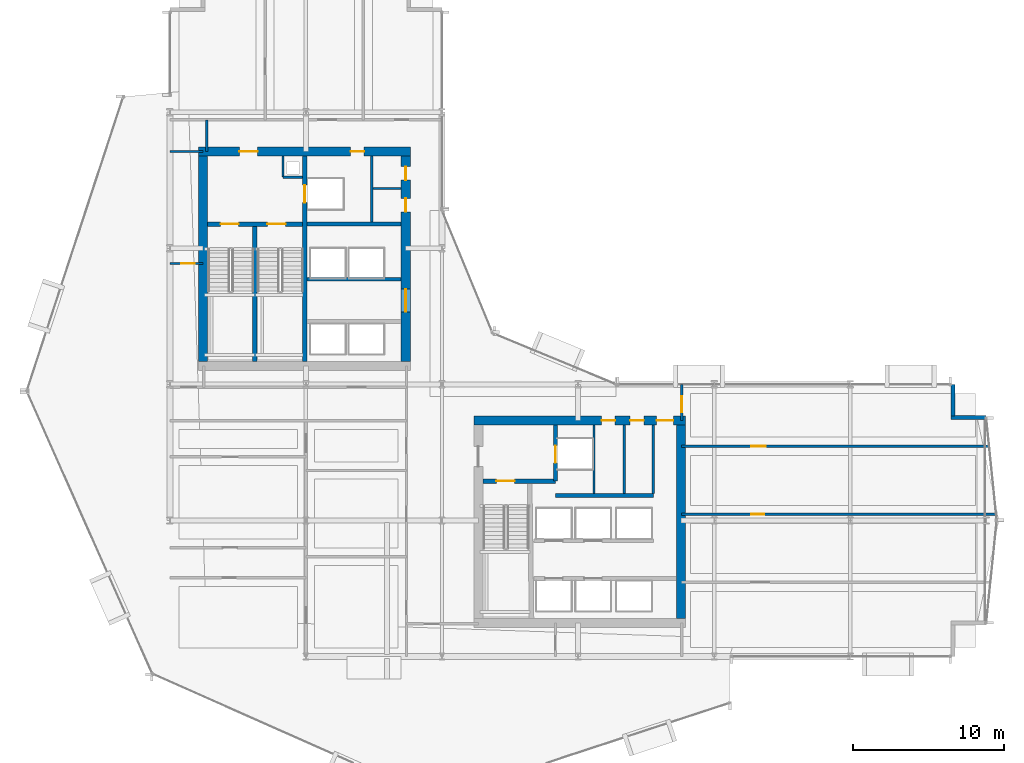
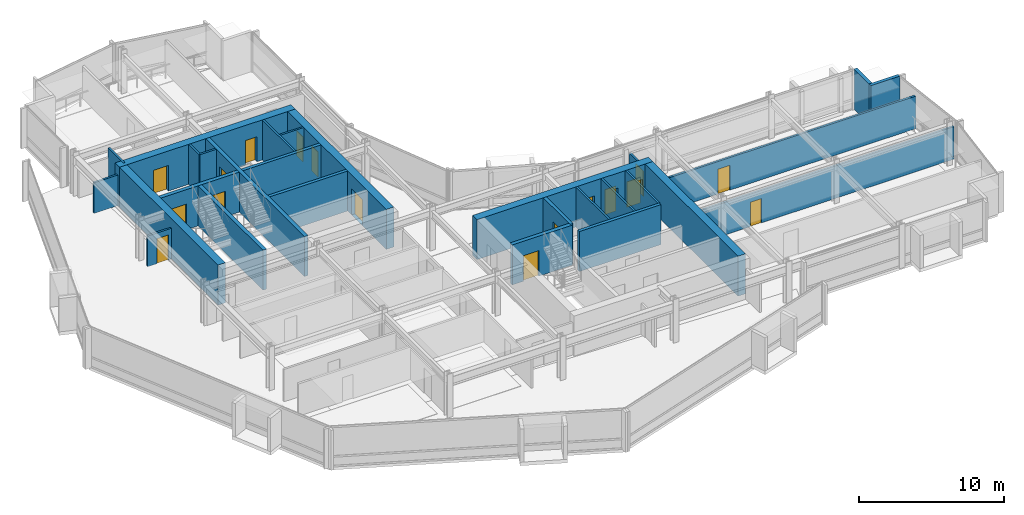
# One storey, part 29 of 35: 28 walls, 17 doors, 17 openings.
"""IFC4 building model written with IfcOpenShell, lengths in metres."""

from ifc_helpers import new_model, si_unit, direction, frame, frame_2d, origin, place, context, subcontext, project, spatial, rectangle, extrude, material, layer, layer_set, type_object, element, fill, save


model = new_model("IFC4")

# Units and contexts
model_context = context("Model", 3, precision=1e-05, world=origin(), true_north=direction((0.0, 1.0)))
body_context = subcontext(model_context, "Body", "Model", "MODEL_VIEW")
ifc_project = project(units=[si_unit("LENGTHUNIT", "METRE"), si_unit("AREAUNIT", "SQUARE_METRE"), si_unit("VOLUMEUNIT", "CUBIC_METRE"), si_unit("PLANEANGLEUNIT", "RADIAN"), si_unit("MASSUNIT", "GRAM", prefix="KILO")], contexts=[model_context])

# Site, building, storey
site_placement = place(None, origin())
site = spatial("IfcSite", under=ifc_project, at=site_placement, CompositionType="ELEMENT")
building_placement = place(site_placement, origin())
building = spatial("IfcBuilding", under=site, at=building_placement, Name="Solvaryn Broadcast Tower", CompositionType="ELEMENT")
storey_placement = place(building_placement, frame((0.0, 0.0, 80.39990234375)))
storey = spatial("IfcBuildingStorey", under=building, at=storey_placement, Name="L19", CompositionType="ELEMENT", Elevation=80.39990234375)

# Wall, openings, doors
ifc_material_1 = material(Name="Concrete f'c 70 MPa", Category="concrete")
ifc_layer_1 = layer(ifc_material_1, 0.60009765625)
ifc_layer_set_1 = layer_set([ifc_layer_1], Name="CW-SHEAR-600")
wall_type_1 = type_object("IfcWallType", Name="CW-SHEAR-600", PredefinedType="SHEAR", material=ifc_layer_set_1)
wall_1_placement = place(storey_placement, frame((24.89990234375, 42.39990234375, 0.0), z_axis=(0.0, 0.0, 1.0), x_axis=(-1.0, 0.0, 0.0)))
wall_1 = element("IfcWall", 1, at=wall_1_placement, inside=storey, type_object=wall_type_1, Name="L19 West Core North Shear Wall", PredefinedType="SHEAR", context=body_context, shape_type="SweptSolid", body=[
    extrude(rectangle(XDim=14.0, YDim=0.60009765625, at=frame_2d((7.0, 0.0))), origin(), (0.0, 0.0, 1.0), 3.3701171875),
])
opening_1_placement = place(wall_1_placement, frame((10.10009765625, 0.0, 0.0)))
opening_1 = element("IfcOpeningElement", 2, at=opening_1_placement, cuts=wall_1, Name="Opening FD90A", PredefinedType="OPENING", context=body_context, shape_type="SweptSolid", body=[
    extrude(rectangle(XDim=1.199951171875, YDim=2.14990234375, at=frame_2d((0.60009765625, 1.074951171875))), frame((0.0, 0.31005859375, 0.0), z_axis=(0.0, -1.0, 0.0), x_axis=(1.0, 0.0, 0.0)), (0.0, 0.0, 1.0), 0.6201171875),
])
opening_2_placement = place(wall_1_placement, frame((3.050048828125, 0.0, 0.0)))
opening_2 = element("IfcOpeningElement", 3, at=opening_2_placement, cuts=wall_1, Name="Opening FD60C", PredefinedType="OPENING", context=body_context, shape_type="SweptSolid", body=[
    extrude(rectangle(XDim=0.89990234375, YDim=2.10009765625, at=frame_2d((0.449951171875, 1.050048828125))), frame((0.0, 0.31005859375, 0.0), z_axis=(0.0, -1.0, 0.0), x_axis=(1.0, 0.0, 0.0)), (0.0, 0.0, 1.0), 0.6201171875),
])
ifc_material_2 = material(Name="Flush Acoustic Steel and Timber Door Assembly", Category="steel")
door_type_1 = type_object("IfcDoorType", Name="FD60-SERV-900X2100", OperationType="NOTDEFINED", PredefinedType="DOOR", material=ifc_material_2)
door_1_placement = place(opening_2_placement, origin())
door_1 = element("IfcDoor", 4, at=door_1_placement, inside=storey, type_object=door_type_1, Name="L19 West Core Fiber Riser Door", OperationType="SINGLE_SWING_RIGHT", OverallHeight=2.10009765625, OverallWidth=0.89990234375, PredefinedType="DOOR", context=body_context, shape_type="SweptSolid", body=[
    extrude(rectangle(XDim=0.89990234375, YDim=2.10009765625, at=frame_2d((0.449951171875, 1.050048828125))), frame((0.0, 0.02490234375, 0.0), z_axis=(0.0, -1.0, 0.0), x_axis=(1.0, 0.0, 0.0)), (0.0, 0.0, 1.0), 0.050048828125),
])
fill(opening_2, door_1)
ifc_material_3 = material(Name="Flush Acoustic Steel and Timber Door Assembly", Category="steel")
door_type_2 = type_object("IfcDoorType", Name="FD90-STAIR-1200X2150", OperationType="NOTDEFINED", PredefinedType="DOOR", material=ifc_material_3)
door_2_placement = place(opening_1_placement, origin())
door_2 = element("IfcDoor", 5, at=door_2_placement, inside=storey, type_object=door_type_2, Name="L19 West FSAE Lobby Corridor Door", OperationType="SINGLE_SWING_LEFT", OverallHeight=2.14990234375, OverallWidth=1.199951171875, PredefinedType="DOOR", context=body_context, shape_type="SweptSolid", body=[
    extrude(rectangle(XDim=1.199951171875, YDim=2.14990234375, at=frame_2d((0.60009765625, 1.074951171875))), frame((0.0, 0.02490234375, 0.0), z_axis=(0.0, -1.0, 0.0), x_axis=(1.0, 0.0, 0.0)), (0.0, 0.0, 1.0), 0.050048828125),
])
fill(opening_1, door_2)

# Wall
wall_2_placement = place(storey_placement, frame((11.199951171875, 42.10009765625, 0.0), z_axis=(0.0, 0.0, 1.0), x_axis=(0.0, -1.0, 0.0)))
element("IfcWall", 6, at=wall_2_placement, inside=storey, type_object=wall_type_1, Name="L19 West Core West Shear Wall", PredefinedType="SHEAR", context=body_context, shape_type="SweptSolid", body=[
    extrude(rectangle(XDim=13.60009765625, YDim=0.60009765625, at=frame_2d((6.800048828125, 0.0))), origin(), (0.0, 0.0, 1.0), 3.3701171875),
])

# Wall, openings, doors
wall_3_placement = place(storey_placement, frame((24.60009765625, 28.5, 0.0), z_axis=(0.0, 0.0, 1.0), x_axis=(0.0, 1.0, 0.0)))
wall_3 = element("IfcWall", 7, at=wall_3_placement, inside=storey, type_object=wall_type_1, Name="L19 West Core East Shear Wall", PredefinedType="SHEAR", context=body_context, shape_type="SweptSolid", body=[
    extrude(rectangle(XDim=13.60009765625, YDim=0.60009765625, at=frame_2d((6.800048828125, 0.0))), origin(), (0.0, 0.0, 1.0), 3.3701171875),
])
opening_3_placement = place(wall_3_placement, frame((3.300048828125, 0.0, 0.0)))
opening_3 = element("IfcOpeningElement", 8, at=opening_3_placement, cuts=wall_3, Name="Opening FD60A", PredefinedType="OPENING", context=body_context, shape_type="SweptSolid", body=[
    extrude(rectangle(XDim=1.5, YDim=2.199951171875, at=frame_2d((0.75, 1.10009765625))), frame((0.0, 0.31005859375, 0.0), z_axis=(0.0, -1.0, 0.0), x_axis=(1.0, 0.0, 0.0)), (0.0, 0.0, 1.0), 0.6201171875),
])
opening_4_placement = place(wall_3_placement, frame((9.89990234375, 0.0, 0.0)))
opening_4 = element("IfcOpeningElement", 9, at=opening_4_placement, cuts=wall_3, Name="Opening FD60C", PredefinedType="OPENING", context=body_context, shape_type="SweptSolid", body=[
    extrude(rectangle(XDim=0.89990234375, YDim=2.10009765625, at=frame_2d((0.449951171875, 1.050048828125))), frame((0.0, 0.31005859375, 0.0), z_axis=(0.0, -1.0, 0.0), x_axis=(1.0, 0.0, 0.0)), (0.0, 0.0, 1.0), 0.6201171875),
])
opening_5_placement = place(wall_3_placement, frame((12.0, 0.0, 0.0)))
opening_5 = element("IfcOpeningElement", 10, at=opening_5_placement, cuts=wall_3, Name="Opening FD60C", PredefinedType="OPENING", context=body_context, shape_type="SweptSolid", body=[
    extrude(rectangle(XDim=0.89990234375, YDim=2.10009765625, at=frame_2d((0.449951171875, 1.050048828125))), frame((0.0, 0.31005859375, 0.0), z_axis=(0.0, -1.0, 0.0), x_axis=(1.0, 0.0, 0.0)), (0.0, 0.0, 1.0), 0.6201171875),
])
ifc_material_4 = material(Name="Flush Acoustic Steel and Timber Door Assembly", Category="steel")
door_type_3 = type_object("IfcDoorType", Name="FD60-CORR-1500X2200", OperationType="NOTDEFINED", PredefinedType="DOOR", material=ifc_material_4)
door_3_placement = place(opening_3_placement, origin())
door_3 = element("IfcDoor", 11, at=door_3_placement, inside=storey, type_object=door_type_3, Name="L19 West Elevator Lobby Corridor Door", OperationType="DOUBLE_DOOR_SINGLE_SWING", OverallHeight=2.199951171875, OverallWidth=1.5, PredefinedType="DOOR", context=body_context, shape_type="SweptSolid", body=[
    extrude(rectangle(XDim=1.5, YDim=2.199951171875, at=frame_2d((0.75, 1.10009765625))), frame((0.0, 0.02490234375, 0.0), z_axis=(0.0, -1.0, 0.0), x_axis=(1.0, 0.0, 0.0)), (0.0, 0.0, 1.0), 0.050048828125),
])
fill(opening_3, door_3)
door_4_placement = place(opening_4_placement, origin())
door_4 = element("IfcDoor", 12, at=door_4_placement, inside=storey, type_object=door_type_1, Name="L19 West Core Service Door 1", OperationType="SINGLE_SWING_LEFT", OverallHeight=2.10009765625, OverallWidth=0.89990234375, PredefinedType="DOOR", context=body_context, shape_type="SweptSolid", body=[
    extrude(rectangle(XDim=0.89990234375, YDim=2.10009765625, at=frame_2d((0.449951171875, 1.050048828125))), frame((0.0, 0.02490234375, 0.0), z_axis=(0.0, -1.0, 0.0), x_axis=(1.0, 0.0, 0.0)), (0.0, 0.0, 1.0), 0.050048828125),
])
fill(opening_4, door_4)
door_5_placement = place(opening_5_placement, origin())
door_5 = element("IfcDoor", 13, at=door_5_placement, inside=storey, type_object=door_type_1, Name="L19 West Core Janitor Door", OperationType="SINGLE_SWING_RIGHT", OverallHeight=2.10009765625, OverallWidth=0.89990234375, PredefinedType="DOOR", context=body_context, shape_type="SweptSolid", body=[
    extrude(rectangle(XDim=0.89990234375, YDim=2.10009765625, at=frame_2d((0.449951171875, 1.050048828125))), frame((0.0, 0.02490234375, 0.0), z_axis=(0.0, -1.0, 0.0), x_axis=(1.0, 0.0, 0.0)), (0.0, 0.0, 1.0), 0.050048828125),
])
fill(opening_5, door_5)

wall_4_placement = place(storey_placement, frame((43.10009765625, 24.60009765625, 0.0), z_axis=(0.0, 0.0, 1.0), x_axis=(-1.0, 0.0, 0.0)))
wall_4 = element("IfcWall", 14, at=wall_4_placement, inside=storey, type_object=wall_type_1, Name="L19 East Core North Shear Wall", PredefinedType="SHEAR", context=body_context, shape_type="SweptSolid", body=[
    extrude(rectangle(XDim=14.0, YDim=0.60009765625, at=frame_2d((7.0, 0.0))), origin(), (0.0, 0.0, 1.0), 3.3701171875),
])
opening_6_placement = place(wall_4_placement, frame((0.800048828125, 0.0, 0.0)))
opening_6 = element("IfcOpeningElement", 15, at=opening_6_placement, cuts=wall_4, Name="Opening FD90C", PredefinedType="OPENING", context=body_context, shape_type="SweptSolid", body=[
    extrude(rectangle(XDim=1.10009765625, YDim=2.14990234375, at=frame_2d((0.550048828125, 1.074951171875))), frame((0.0, 0.31005859375, 0.0), z_axis=(0.0, -1.0, 0.0), x_axis=(1.0, 0.0, 0.0)), (0.0, 0.0, 1.0), 0.6201171875),
])
opening_7_placement = place(wall_4_placement, frame((2.75, 0.0, 0.0)))
opening_7 = element("IfcOpeningElement", 16, at=opening_7_placement, cuts=wall_4, Name="Opening FD60C", PredefinedType="OPENING", context=body_context, shape_type="SweptSolid", body=[
    extrude(rectangle(XDim=0.89990234375, YDim=2.10009765625, at=frame_2d((0.449951171875, 1.050048828125))), frame((0.0, 0.31005859375, 0.0), z_axis=(0.0, -1.0, 0.0), x_axis=(1.0, 0.0, 0.0)), (0.0, 0.0, 1.0), 0.6201171875),
])
opening_8_placement = place(wall_4_placement, frame((4.64990234375, 0.0, 0.0)))
opening_8 = element("IfcOpeningElement", 17, at=opening_8_placement, cuts=wall_4, Name="Opening FD60C", PredefinedType="OPENING", context=body_context, shape_type="SweptSolid", body=[
    extrude(rectangle(XDim=0.89990234375, YDim=2.10009765625, at=frame_2d((0.449951171875, 1.050048828125))), frame((0.0, 0.31005859375, 0.0), z_axis=(0.0, -1.0, 0.0), x_axis=(1.0, 0.0, 0.0)), (0.0, 0.0, 1.0), 0.6201171875),
])
door_6_placement = place(opening_7_placement, origin())
door_6 = element("IfcDoor", 18, at=door_6_placement, inside=storey, type_object=door_type_1, Name="L19 Staff Restroom Door", OperationType="SINGLE_SWING_LEFT", OverallHeight=2.10009765625, OverallWidth=0.89990234375, PredefinedType="DOOR", context=body_context, shape_type="SweptSolid", body=[
    extrude(rectangle(XDim=0.89990234375, YDim=2.10009765625, at=frame_2d((0.449951171875, 1.050048828125))), frame((0.0, 0.02490234375, 0.0), z_axis=(0.0, -1.0, 0.0), x_axis=(1.0, 0.0, 0.0)), (0.0, 0.0, 1.0), 0.050048828125),
])
fill(opening_7, door_6)
door_7_placement = place(opening_8_placement, origin())
door_7 = element("IfcDoor", 19, at=door_7_placement, inside=storey, type_object=door_type_1, Name="L19 Accessible WC Door", OperationType="SINGLE_SWING_RIGHT", OverallHeight=2.10009765625, OverallWidth=0.89990234375, PredefinedType="DOOR", context=body_context, shape_type="SweptSolid", body=[
    extrude(rectangle(XDim=0.89990234375, YDim=2.10009765625, at=frame_2d((0.449951171875, 1.050048828125))), frame((0.0, 0.02490234375, 0.0), z_axis=(0.0, -1.0, 0.0), x_axis=(1.0, 0.0, 0.0)), (0.0, 0.0, 1.0), 0.050048828125),
])
fill(opening_8, door_7)
ifc_material_5 = material(Name="Flush Acoustic Steel and Timber Door Assembly", Category="steel")
door_type_4 = type_object("IfcDoorType", Name="FD90-PLANT-1100X2150", OperationType="NOTDEFINED", PredefinedType="DOOR", material=ifc_material_5)
door_8_placement = place(opening_6_placement, origin())
door_8 = element("IfcDoor", 20, at=door_8_placement, inside=storey, type_object=door_type_4, Name="L19 East Core Lobby Corridor Door", OperationType="SINGLE_SWING_LEFT", OverallHeight=2.14990234375, OverallWidth=1.10009765625, PredefinedType="DOOR", context=body_context, shape_type="SweptSolid", body=[
    extrude(rectangle(XDim=1.10009765625, YDim=2.14990234375, at=frame_2d((0.550048828125, 1.074951171875))), frame((0.0, 0.02490234375, 0.0), z_axis=(0.0, -1.0, 0.0), x_axis=(1.0, 0.0, 0.0)), (0.0, 0.0, 1.0), 0.050048828125),
])
fill(opening_6, door_8)

# Walls
wall_5_placement = place(storey_placement, frame((42.800048828125, 11.5, 0.0), z_axis=(0.0, 0.0, 1.0), x_axis=(0.0, 1.0, 0.0)))
element("IfcWall", 21, at=wall_5_placement, inside=storey, type_object=wall_type_1, Name="L19 East Core East Shear Wall", PredefinedType="SHEAR", context=body_context, shape_type="SweptSolid", body=[
    extrude(rectangle(XDim=12.800048828125, YDim=0.60009765625, at=frame_2d((6.39990234375, 0.0))), origin(), (0.0, 0.0, 1.0), 3.3701171875),
])
ifc_material_6 = material(Name="Concrete f'c 50 MPa", Category="concrete")
ifc_layer_2 = layer(ifc_material_6, 0.260009765625)
ifc_layer_set_2 = layer_set([ifc_layer_2], Name="EW-PIER-260")
wall_type_2 = type_object("IfcWallType", Name="EW-PIER-260", PredefinedType="SOLIDWALL", material=ifc_layer_set_2)
wall_6_placement = place(storey_placement, frame((63.0, 24.800048828125, 0.0), z_axis=(0.0, 0.0, 1.0), x_axis=(-1.0, 0.0, 0.0)))
element("IfcWall", 22, at=wall_6_placement, inside=storey, type_object=wall_type_2, Name="L19 Notched Corner Pier Wall NEE1", PredefinedType="SOLIDWALL", context=body_context, shape_type="SweptSolid", body=[
    extrude(rectangle(XDim=2.320068359375, YDim=0.260009765625, at=frame_2d((1.16015625, 0.0))), origin(), (0.0, 0.0, 1.0), 3.3701171875),
])
wall_7_placement = place(storey_placement, frame((60.800048828125, 24.919921875, 0.0), z_axis=(0.0, 0.0, 1.0), x_axis=(0.0, 1.0, 0.0)))
element("IfcWall", 23, at=wall_7_placement, inside=storey, type_object=wall_type_2, Name="L19 Notched Corner Pier Wall NEE2", PredefinedType="SOLIDWALL", context=body_context, shape_type="SweptSolid", body=[
    extrude(rectangle(XDim=2.080078125, YDim=0.260009765625, at=frame_2d((1.0400390625, 0.0))), origin(), (0.0, 0.0, 1.0), 3.3701171875),
])
ifc_material_7 = material(Name="Metal-Stud Service Core Partition")
ifc_layer_3 = layer(ifc_material_7, 0.14990234375)
ifc_layer_set_3 = layer_set([ifc_layer_3], Name="IW-PART-150")
wall_type_3 = type_object("IfcWallType", Name="IW-PART-150", PredefinedType="PARTITIONING", material=ifc_layer_set_3)
wall_8_placement = place(storey_placement, frame((16.47998046875, 40.699951171875, 0.0), z_axis=(0.0, 0.0, 1.0), x_axis=(1.0, 0.0, 0.0)))
element("IfcWall", 24, at=wall_8_placement, inside=storey, type_object=wall_type_3, Name="L19 West Core Riser Shaft South Wall", PredefinedType="PARTITIONING", context=body_context, shape_type="SweptSolid", body=[
    extrude(rectangle(XDim=1.2900390625, YDim=0.14990234375, at=frame_2d((0.64501953125, 0.0))), origin(), (0.0, 0.0, 1.0), 3.3701171875),
])
wall_9_placement = place(storey_placement, frame((16.47998046875, 40.699951171875, 0.0), z_axis=(0.0, 0.0, 1.0), x_axis=(0.0, 1.0, 0.0)))
element("IfcWall", 25, at=wall_9_placement, inside=storey, type_object=wall_type_3, Name="L19 West Core Riser Shaft West Wall", PredefinedType="PARTITIONING", context=body_context, shape_type="SweptSolid", body=[
    extrude(rectangle(XDim=1.400146484375, YDim=0.14990234375, at=frame_2d((0.7001953125, 0.0))), origin(), (0.0, 0.0, 1.0), 3.3701171875),
])
wall_10_placement = place(storey_placement, frame((22.35009765625, 37.72998046875, 0.0), z_axis=(0.0, 0.0, 1.0), x_axis=(0.0, 1.0, 0.0)))
element("IfcWall", 26, at=wall_10_placement, inside=storey, type_object=wall_type_3, Name="L19 Interior Partition IW-L19-CWS-V", PredefinedType="PARTITIONING", context=body_context, shape_type="SweptSolid", body=[
    extrude(rectangle(XDim=4.3701171875, YDim=0.14990234375, at=frame_2d((2.18505859375, 0.0))), origin(), (0.0, 0.0, 1.0), 3.3701171875),
])
wall_11_placement = place(storey_placement, frame((22.429931640625, 39.949951171875, 0.0), z_axis=(0.0, 0.0, 1.0), x_axis=(1.0, 0.0, 0.0)))
element("IfcWall", 27, at=wall_11_placement, inside=storey, type_object=wall_type_3, Name="L19 Interior Partition IW-L19-CWS-H", PredefinedType="PARTITIONING", context=body_context, shape_type="SweptSolid", body=[
    extrude(rectangle(XDim=1.8701171875, YDim=0.14990234375, at=frame_2d((0.93505859375, 0.0))), origin(), (0.0, 0.0, 1.0), 3.3701171875),
])
for number, where, z_axis, x_axis, name in (
    (28, (37.050048828125, 19.780029296875, 0.0), (0.0, 0.0, 1.0), (0.0, 1.0, 0.0), "L19 Interior Partition IW-L19-CE-FL2E"),
    (29, (39.050048828125, 19.780029296875, 0.0), (0.0, 0.0, 1.0), (0.0, 1.0, 0.0), "L19 Interior Partition IW-L19-CE-V1"),
    (30, (40.97998046875, 19.780029296875, 0.0), (0.0, 0.0, 1.0), (0.0, 1.0, 0.0), "L19 Interior Partition IW-L19-CE-V3"),
):
    element("IfcWall", number, at=place(storey_placement, frame(where, z_axis=z_axis, x_axis=x_axis)), inside=storey, type_object=wall_type_3, Name=name, PredefinedType="PARTITIONING", context=body_context, shape_type="SweptSolid", body=[
        extrude(rectangle(XDim=4.52001953125, YDim=0.14990234375, at=frame_2d((2.260009765625, 0.0))), origin(), (0.0, 0.0, 1.0), 3.3701171875),
    ])

# Wall, opening, door
wall_12_placement = place(storey_placement, frame((9.0, 35.0, 0.0), z_axis=(0.0, 0.0, 1.0), x_axis=(1.0, 0.0, 0.0)))
wall_12 = element("IfcWall", 31, at=wall_12_placement, inside=storey, type_object=wall_type_3, Name="L19 Interior Partition IW-L19-WM-M", PredefinedType="PARTITIONING", context=body_context, shape_type="SweptSolid", body=[
    extrude(rectangle(XDim=2.199951171875, YDim=0.14990234375, at=frame_2d((1.10009765625, 0.0))), origin(), (0.0, 0.0, 1.0), 2.5771484375),
])
opening_9_placement = place(wall_12_placement, frame((0.75, 0.0, 0.0)))
opening_9 = element("IfcOpeningElement", 32, at=opening_9_placement, cuts=wall_12, Name="Opening FD60C", PredefinedType="OPENING", context=body_context, shape_type="SweptSolid", body=[
    extrude(rectangle(XDim=0.89990234375, YDim=2.10009765625, at=frame_2d((0.449951171875, 1.050048828125))), frame((0.0, 0.0849609375, 0.0), z_axis=(0.0, -1.0, 0.0), x_axis=(1.0, 0.0, 0.0)), (0.0, 0.0, 1.0), 0.169921875),
])
door_9_placement = place(opening_9_placement, origin())
door_9 = element("IfcDoor", 33, at=door_9_placement, inside=storey, type_object=door_type_1, Name="L19 Door DR-L19-WM1", OperationType="SINGLE_SWING_RIGHT", OverallHeight=2.10009765625, OverallWidth=0.89990234375, PredefinedType="DOOR", context=body_context, shape_type="SweptSolid", body=[
    extrude(rectangle(XDim=0.89990234375, YDim=2.10009765625, at=frame_2d((0.449951171875, 1.050048828125))), frame((0.0, 0.02490234375, 0.0), z_axis=(0.0, -1.0, 0.0), x_axis=(1.0, 0.0, 0.0)), (0.0, 0.0, 1.0), 0.050048828125),
])
fill(opening_9, door_9)

# Walls
ifc_material_8 = material(Name="Metal-Stud Gypsum Office Partition")
ifc_layer_4 = layer(ifc_material_8, 0.159912109375)
ifc_layer_set_4 = layer_set([ifc_layer_4], Name="IW-PART-160")
wall_type_4 = type_object("IfcWallType", Name="IW-PART-160", PredefinedType="PARTITIONING", material=ifc_layer_set_4)
wall_13_placement = place(storey_placement, frame((9.0, 42.39990234375, 0.0), z_axis=(0.0, 0.0, 1.0), x_axis=(1.0, 0.0, 0.0)))
element("IfcWall", 34, at=wall_13_placement, inside=storey, type_object=wall_type_4, Name="L19 Interior Partition IW-L19-WM-N", PredefinedType="PARTITIONING", context=body_context, shape_type="SweptSolid", body=[
    extrude(rectangle(XDim=2.199951171875, YDim=0.159912109375, at=frame_2d((1.10009765625, 0.0))), origin(), (0.0, 0.0, 1.0), 2.5771484375),
])
wall_14_placement = place(storey_placement, frame((11.449951171875, 42.39990234375, 0.0), z_axis=(0.0, 0.0, 1.0), x_axis=(0.0, 1.0, 0.0)))
element("IfcWall", 35, at=wall_14_placement, inside=storey, type_object=wall_type_4, Name="L19 Interior Partition IW-L19-WM-E", PredefinedType="PARTITIONING", context=body_context, shape_type="SweptSolid", body=[
    extrude(rectangle(XDim=2.10009765625, YDim=0.159912109375, at=frame_2d((1.050048828125, 0.0))), origin(), (0.0, 0.0, 1.0), 3.3701171875),
])

# Wall, opening, door
wall_15_placement = place(storey_placement, frame((42.85009765625, 24.60009765625, 0.0), z_axis=(0.0, 0.0, 1.0), x_axis=(0.0, 1.0, 0.0)))
wall_15 = element("IfcWall", 36, at=wall_15_placement, inside=storey, type_object=wall_type_4, Name="L19 Interior Partition IW-L19-EW-BN", PredefinedType="PARTITIONING", context=body_context, shape_type="SweptSolid", body=[
    extrude(rectangle(XDim=2.39990234375, YDim=0.159912109375, at=frame_2d((1.199951171875, 0.0))), origin(), (0.0, 0.0, 1.0), 2.5771484375),
])
opening_10_placement = place(wall_15_placement, frame((0.550048828125, 0.0, 0.0)))
opening_10 = element("IfcOpeningElement", 37, at=opening_10_placement, cuts=wall_15, Name="Opening ID03", PredefinedType="OPENING", context=body_context, shape_type="SweptSolid", body=[
    extrude(rectangle(XDim=1.050048828125, YDim=2.14990234375, at=frame_2d((0.52490234375, 1.074951171875))), frame((0.0, 0.090087890625, 0.0), z_axis=(0.0, -1.0, 0.0), x_axis=(1.0, 0.0, 0.0)), (0.0, 0.0, 1.0), 0.179931640625),
])
ifc_material_9 = material(Name="Flush Acoustic Steel and Timber Door Assembly", Category="steel")
door_type_5 = type_object("IfcDoorType", Name="ID-03-1050X2150", OperationType="NOTDEFINED", PredefinedType="DOOR", material=ifc_material_9)
door_10_placement = place(opening_10_placement, origin())
door_10 = element("IfcDoor", 38, at=door_10_placement, inside=storey, type_object=door_type_5, Name="L19 Door DR-L19-EW0", OperationType="SINGLE_SWING_LEFT", OverallHeight=2.14990234375, OverallWidth=1.050048828125, PredefinedType="DOOR", context=body_context, shape_type="SweptSolid", body=[
    extrude(rectangle(XDim=1.050048828125, YDim=2.14990234375, at=frame_2d((0.52490234375, 1.074951171875))), frame((0.0, 0.02490234375, 0.0), z_axis=(0.0, -1.0, 0.0), x_axis=(1.0, 0.0, 0.0)), (0.0, 0.0, 1.0), 0.050048828125),
])
fill(opening_10, door_10)

wall_16_placement = place(storey_placement, frame((42.85009765625, 18.39990234375, 0.0), z_axis=(0.0, 0.0, 1.0), x_axis=(1.0, 0.0, 0.0)))
wall_16 = element("IfcWall", 39, at=wall_16_placement, inside=storey, type_object=wall_type_4, Name="L19 Interior Partition IW-L19-EW-H2", PredefinedType="PARTITIONING", context=body_context, shape_type="SweptSolid", body=[
    extrude(rectangle(XDim=20.808837890625, YDim=0.159912109375, at=frame_2d((10.404296875, 0.0))), origin(), (0.0, 0.0, 1.0), 2.739013671875),
])
opening_11_placement = place(wall_16_placement, frame((4.60009765625, 0.0, 0.0)))
opening_11 = element("IfcOpeningElement", 40, at=opening_11_placement, cuts=wall_16, Name="Opening ID07", PredefinedType="OPENING", context=body_context, shape_type="SweptSolid", body=[
    extrude(rectangle(XDim=0.860107421875, YDim=2.050048828125, at=frame_2d((0.43017578125, 1.02490234375))), frame((0.0, 0.090087890625, 0.0), z_axis=(0.0, -1.0, 0.0), x_axis=(1.0, 0.0, 0.0)), (0.0, 0.0, 1.0), 0.179931640625),
])
ifc_material_10 = material(Name="Flush Acoustic Steel and Timber Door Assembly", Category="steel")
door_type_6 = type_object("IfcDoorType", Name="ID-07-860X2050", OperationType="NOTDEFINED", PredefinedType="DOOR", material=ifc_material_10)
door_11_placement = place(opening_11_placement, origin())
door_11 = element("IfcDoor", 41, at=door_11_placement, inside=storey, type_object=door_type_6, Name="L19 Door DR-L19-EW-2", OperationType="SINGLE_SWING_LEFT", OverallHeight=2.050048828125, OverallWidth=0.860107421875, PredefinedType="DOOR", context=body_context, shape_type="SweptSolid", body=[
    extrude(rectangle(XDim=0.860107421875, YDim=2.050048828125, at=frame_2d((0.43017578125, 1.02490234375))), frame((0.0, 0.02490234375, 0.0), z_axis=(0.0, -1.0, 0.0), x_axis=(1.0, 0.0, 0.0)), (0.0, 0.0, 1.0), 0.050048828125),
])
fill(opening_11, door_11)

wall_17_placement = place(storey_placement, frame((42.85009765625, 22.89990234375, 0.0), z_axis=(0.0, 0.0, 1.0), x_axis=(1.0, 0.0, 0.0)))
wall_17 = element("IfcWall", 42, at=wall_17_placement, inside=storey, type_object=wall_type_4, Name="L19 Interior Partition IW-L19-EW-H3", PredefinedType="PARTITIONING", context=body_context, shape_type="SweptSolid", body=[
    extrude(rectangle(XDim=20.345947265625, YDim=0.159912109375, at=frame_2d((10.1728515625, 0.0))), origin(), (0.0, 0.0, 1.0), 2.739013671875),
])
opening_12_placement = place(wall_17_placement, frame((4.60009765625, 0.0, 0.0)))
opening_12 = element("IfcOpeningElement", 43, at=opening_12_placement, cuts=wall_17, Name="Opening ID01", PredefinedType="OPENING", context=body_context, shape_type="SweptSolid", body=[
    extrude(rectangle(XDim=0.949951171875, YDim=2.10009765625, at=frame_2d((0.47509765625, 1.050048828125))), frame((0.0, 0.090087890625, 0.0), z_axis=(0.0, -1.0, 0.0), x_axis=(1.0, 0.0, 0.0)), (0.0, 0.0, 1.0), 0.179931640625),
])
ifc_material_11 = material(Name="Flush Acoustic Steel and Timber Door Assembly", Category="steel")
door_type_7 = type_object("IfcDoorType", Name="ID-01-950X2100", OperationType="NOTDEFINED", PredefinedType="DOOR", material=ifc_material_11)
door_12_placement = place(opening_12_placement, origin())
door_12 = element("IfcDoor", 44, at=door_12_placement, inside=storey, type_object=door_type_7, Name="L19 Door DR-L19-EW-3", OperationType="SINGLE_SWING_RIGHT", OverallHeight=2.10009765625, OverallWidth=0.949951171875, PredefinedType="DOOR", context=body_context, shape_type="SweptSolid", body=[
    extrude(rectangle(XDim=0.949951171875, YDim=2.10009765625, at=frame_2d((0.47509765625, 1.050048828125))), frame((0.0, 0.02490234375, 0.0), z_axis=(0.0, -1.0, 0.0), x_axis=(1.0, 0.0, 0.0)), (0.0, 0.0, 1.0), 0.050048828125),
])
fill(opening_12, door_12)

# Walls
ifc_material_12 = material(Name="Concrete f'c 60 MPa", Category="concrete")
ifc_layer_5 = layer(ifc_material_12, 0.25)
ifc_layer_set_5 = layer_set([ifc_layer_5], Name="SW-SHAFT-250")
wall_type_5 = type_object("IfcWallType", Name="SW-SHAFT-250", PredefinedType="PARTITIONING", material=ifc_layer_set_5)
for number, where, z_axis, x_axis, name in (
    (45, (18.070068359375, 37.60009765625, 0.0), (0.0, 0.0, 1.0), (1.0, 0.0, 0.0), "L19 West Core FSAE Hoistway Front Wall"),
    (46, (24.300048828125, 33.949951171875, 0.0), (0.0, 0.0, 1.0), (-1.0, 0.0, 0.0), "L19 High-Rise Lift Bank North Wall"),
):
    element("IfcWall", number, at=place(storey_placement, frame(where, z_axis=z_axis, x_axis=x_axis)), inside=storey, type_object=wall_type_5, Name=name, PredefinedType="PARTITIONING", context=body_context, shape_type="SweptSolid", body=[
        extrude(rectangle(XDim=6.22998046875, YDim=0.25, at=frame_2d((3.114990234375, 0.0))), origin(), (0.0, 0.0, 1.0), 3.3701171875),
    ])

# Wall, opening, door
wall_18_placement = place(storey_placement, frame((34.5, 20.60009765625, 0.0), z_axis=(0.0, 0.0, 1.0), x_axis=(0.0, 1.0, 0.0)))
wall_18 = element("IfcWall", 47, at=wall_18_placement, inside=storey, type_object=wall_type_5, Name="L19 East FSAE Lobby East Wall", PredefinedType="PARTITIONING", context=body_context, shape_type="SweptSolid", body=[
    extrude(rectangle(XDim=3.699951171875, YDim=0.25, at=frame_2d((1.85009765625, 0.0))), origin(), (0.0, 0.0, 1.0), 3.3701171875),
])
opening_13_placement = place(wall_18_placement, frame((1.199951171875, 0.0, 0.0)))
opening_13 = element("IfcOpeningElement", 48, at=opening_13_placement, cuts=wall_18, Name="Opening LD01", PredefinedType="OPENING", context=body_context, shape_type="SweptSolid", body=[
    extrude(rectangle(XDim=1.14990234375, YDim=2.14990234375, at=frame_2d((0.574951171875, 1.074951171875))), frame((0.0, 0.135009765625, 0.0), z_axis=(0.0, -1.0, 0.0), x_axis=(1.0, 0.0, 0.0)), (0.0, 0.0, 1.0), 0.27001953125),
])
ifc_material_13 = material(Name="Flush Acoustic Steel and Timber Door Assembly", Category="steel")
door_type_8 = type_object("IfcDoorType", Name="LD-LIFT-1150X2150", OperationType="NOTDEFINED", PredefinedType="DOOR", material=ifc_material_13)
door_13_placement = place(opening_13_placement, origin())
door_13 = element("IfcDoor", 49, at=door_13_placement, inside=storey, type_object=door_type_8, Name="L19 FL2 Lift Landing Door", OperationType="DOUBLE_DOOR_SLIDING", OverallHeight=2.14990234375, OverallWidth=1.14990234375, PredefinedType="DOOR", context=body_context, shape_type="SweptSolid", body=[
    extrude(rectangle(XDim=1.14990234375, YDim=2.14990234375, at=frame_2d((0.574951171875, 1.074951171875))), frame((0.0, 0.02490234375, 0.0), z_axis=(0.0, -1.0, 0.0), x_axis=(1.0, 0.0, 0.0)), (0.0, 0.0, 1.0), 0.050048828125),
])
fill(opening_13, door_13)

# Walls
wall_19_placement = place(storey_placement, frame((34.5, 19.64990234375, 0.0), z_axis=(0.0, 0.0, 1.0), x_axis=(1.0, 0.0, 0.0)))
element("IfcWall", 50, at=wall_19_placement, inside=storey, type_object=wall_type_5, Name="L19 East Core Restroom South Wall", PredefinedType="PARTITIONING", context=body_context, shape_type="SweptSolid", body=[
    extrude(rectangle(XDim=6.47998046875, YDim=0.25, at=frame_2d((3.239990234375, 0.0))), origin(), (0.0, 0.0, 1.0), 3.3701171875),
])
ifc_material_14 = material(Name="Concrete f'c 70 MPa", Category="concrete")
ifc_layer_6 = layer(ifc_material_14, 0.300048828125)
ifc_layer_set_6 = layer_set([ifc_layer_6], Name="SW-SHAFT-300")
wall_type_6 = type_object("IfcWallType", Name="SW-SHAFT-300", PredefinedType="SHEAR", material=ifc_layer_set_6)
wall_20_placement = place(storey_placement, frame((14.6201171875, 28.5, 0.0), z_axis=(0.0, 0.0, 1.0), x_axis=(0.0, 1.0, 0.0)))
element("IfcWall", 51, at=wall_20_placement, inside=storey, type_object=wall_type_6, Name="L19 Stair 1-2 Dividing Wall", PredefinedType="SHEAR", context=body_context, shape_type="SweptSolid", body=[
    extrude(rectangle(XDim=8.949951171875, YDim=0.300048828125, at=frame_2d((4.47509765625, 0.0))), origin(), (0.0, 0.0, 1.0), 3.3701171875),
])

# Wall, opening, door
wall_21_placement = place(storey_placement, frame((17.919921875, 42.10009765625, 0.0), z_axis=(0.0, 0.0, 1.0), x_axis=(0.0, -1.0, 0.0)))
wall_21 = element("IfcWall", 52, at=wall_21_placement, inside=storey, type_object=wall_type_6, Name="L19 West Core Stair-Lobby Shear Wall", PredefinedType="SHEAR", context=body_context, shape_type="SweptSolid", body=[
    extrude(rectangle(XDim=13.60009765625, YDim=0.300048828125, at=frame_2d((6.800048828125, 0.0))), origin(), (0.0, 0.0, 1.0), 3.3701171875),
])
opening_14_placement = place(wall_21_placement, frame((1.925048828125, 0.0, 0.0)))
opening_14 = element("IfcOpeningElement", 53, at=opening_14_placement, cuts=wall_21, Name="Opening LD01", PredefinedType="OPENING", context=body_context, shape_type="SweptSolid", body=[
    extrude(rectangle(XDim=1.14990234375, YDim=2.14990234375, at=frame_2d((0.574951171875, 1.074951171875))), frame((0.0, 0.159912109375, 0.0), z_axis=(0.0, -1.0, 0.0), x_axis=(1.0, 0.0, 0.0)), (0.0, 0.0, 1.0), 0.320068359375),
])
door_14_placement = place(opening_14_placement, origin())
door_14 = element("IfcDoor", 54, at=door_14_placement, inside=storey, type_object=door_type_8, Name="L19 FL1 Lift Landing Door", OperationType="DOUBLE_DOOR_SLIDING", OverallHeight=2.14990234375, OverallWidth=1.14990234375, PredefinedType="DOOR", context=body_context, shape_type="SweptSolid", body=[
    extrude(rectangle(XDim=1.14990234375, YDim=2.14990234375, at=frame_2d((0.574951171875, 1.074951171875))), frame((0.0, 0.02490234375, 0.0), z_axis=(0.0, -1.0, 0.0), x_axis=(1.0, 0.0, 0.0)), (0.0, 0.0, 1.0), 0.050048828125),
])
fill(opening_14, door_14)

# Wall, openings, doors
wall_22_placement = place(storey_placement, frame((17.77001953125, 37.60009765625, 0.0), z_axis=(0.0, 0.0, 1.0), x_axis=(-1.0, 0.0, 0.0)))
wall_22 = element("IfcWall", 55, at=wall_22_placement, inside=storey, type_object=wall_type_6, Name="L19 West Core FSAE Lobby South Wall", PredefinedType="SHEAR", context=body_context, shape_type="SweptSolid", body=[
    extrude(rectangle(XDim=6.27001953125, YDim=0.300048828125, at=frame_2d((3.135009765625, 0.0))), origin(), (0.0, 0.0, 1.0), 3.3701171875),
])
opening_15_placement = place(wall_22_placement, frame((4.219970703125, 0.0, 0.0)))
opening_15 = element("IfcOpeningElement", 56, at=opening_15_placement, cuts=wall_22, Name="Opening FD90A", PredefinedType="OPENING", context=body_context, shape_type="SweptSolid", body=[
    extrude(rectangle(XDim=1.199951171875, YDim=2.14990234375, at=frame_2d((0.60009765625, 1.074951171875))), frame((0.0, 0.159912109375, 0.0), z_axis=(0.0, -1.0, 0.0), x_axis=(1.0, 0.0, 0.0)), (0.0, 0.0, 1.0), 0.320068359375),
])
opening_16_placement = place(wall_22_placement, frame((1.1201171875, 0.0, 0.0)))
opening_16 = element("IfcOpeningElement", 57, at=opening_16_placement, cuts=wall_22, Name="Opening FD90A", PredefinedType="OPENING", context=body_context, shape_type="SweptSolid", body=[
    extrude(rectangle(XDim=1.199951171875, YDim=2.14990234375, at=frame_2d((0.60009765625, 1.074951171875))), frame((0.0, 0.159912109375, 0.0), z_axis=(0.0, -1.0, 0.0), x_axis=(1.0, 0.0, 0.0)), (0.0, 0.0, 1.0), 0.320068359375),
])
door_15_placement = place(opening_15_placement, origin())
door_15 = element("IfcDoor", 58, at=door_15_placement, inside=storey, type_object=door_type_2, Name="L19 Stair 1 Fire Door", OperationType="SINGLE_SWING_LEFT", OverallHeight=2.14990234375, OverallWidth=1.199951171875, PredefinedType="DOOR", context=body_context, shape_type="SweptSolid", body=[
    extrude(rectangle(XDim=1.199951171875, YDim=2.14990234375, at=frame_2d((0.60009765625, 1.074951171875))), frame((0.0, 0.02490234375, 0.0), z_axis=(0.0, -1.0, 0.0), x_axis=(1.0, 0.0, 0.0)), (0.0, 0.0, 1.0), 0.050048828125),
])
fill(opening_15, door_15)
door_16_placement = place(opening_16_placement, origin())
door_16 = element("IfcDoor", 59, at=door_16_placement, inside=storey, type_object=door_type_2, Name="L19 Stair 2 Fire Door", OperationType="SINGLE_SWING_RIGHT", OverallHeight=2.14990234375, OverallWidth=1.199951171875, PredefinedType="DOOR", context=body_context, shape_type="SweptSolid", body=[
    extrude(rectangle(XDim=1.199951171875, YDim=2.14990234375, at=frame_2d((0.60009765625, 1.074951171875))), frame((0.0, 0.02490234375, 0.0), z_axis=(0.0, -1.0, 0.0), x_axis=(1.0, 0.0, 0.0)), (0.0, 0.0, 1.0), 0.050048828125),
])
fill(opening_16, door_16)

# Wall, opening, door
wall_23_placement = place(storey_placement, frame((34.5, 20.60009765625, 0.0), z_axis=(0.0, 0.0, 1.0), x_axis=(-1.0, 0.0, 0.0)))
wall_23 = element("IfcWall", 60, at=wall_23_placement, inside=storey, type_object=wall_type_6, Name="L19 East FSAE Lobby South Wall", PredefinedType="SHEAR", context=body_context, shape_type="SweptSolid", body=[
    extrude(rectangle(XDim=4.800048828125, YDim=0.300048828125, at=frame_2d((2.39990234375, 0.0))), origin(), (0.0, 0.0, 1.0), 3.3701171875),
])
opening_17_placement = place(wall_23_placement, frame((2.699951171875, 0.0, 0.0)))
opening_17 = element("IfcOpeningElement", 61, at=opening_17_placement, cuts=wall_23, Name="Opening FD90A", PredefinedType="OPENING", context=body_context, shape_type="SweptSolid", body=[
    extrude(rectangle(XDim=1.199951171875, YDim=2.14990234375, at=frame_2d((0.60009765625, 1.074951171875))), frame((0.0, 0.159912109375, 0.0), z_axis=(0.0, -1.0, 0.0), x_axis=(1.0, 0.0, 0.0)), (0.0, 0.0, 1.0), 0.320068359375),
])
door_17_placement = place(opening_17_placement, origin())
door_17 = element("IfcDoor", 62, at=door_17_placement, inside=storey, type_object=door_type_2, Name="L19 Stair 3 Fire Door", OperationType="SINGLE_SWING_LEFT", OverallHeight=2.14990234375, OverallWidth=1.199951171875, PredefinedType="DOOR", context=body_context, shape_type="SweptSolid", body=[
    extrude(rectangle(XDim=1.199951171875, YDim=2.14990234375, at=frame_2d((0.60009765625, 1.074951171875))), frame((0.0, 0.02490234375, 0.0), z_axis=(0.0, -1.0, 0.0), x_axis=(1.0, 0.0, 0.0)), (0.0, 0.0, 1.0), 0.050048828125),
])
fill(opening_17, door_17)

save(model, "model.ifc")
